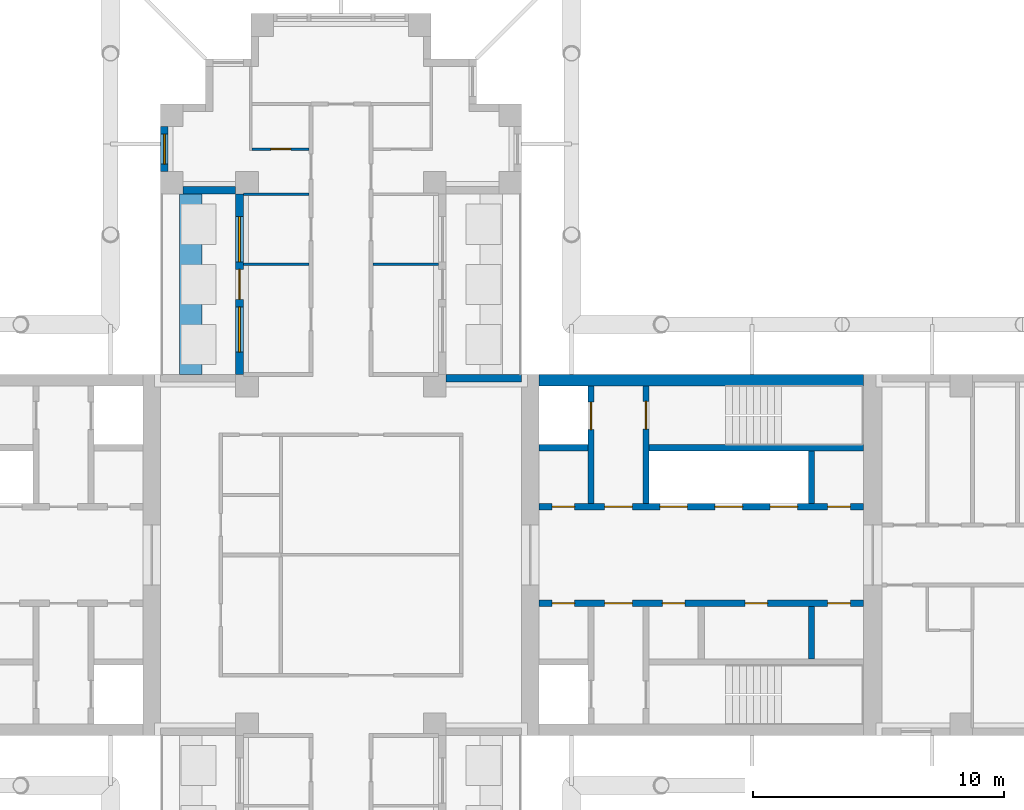
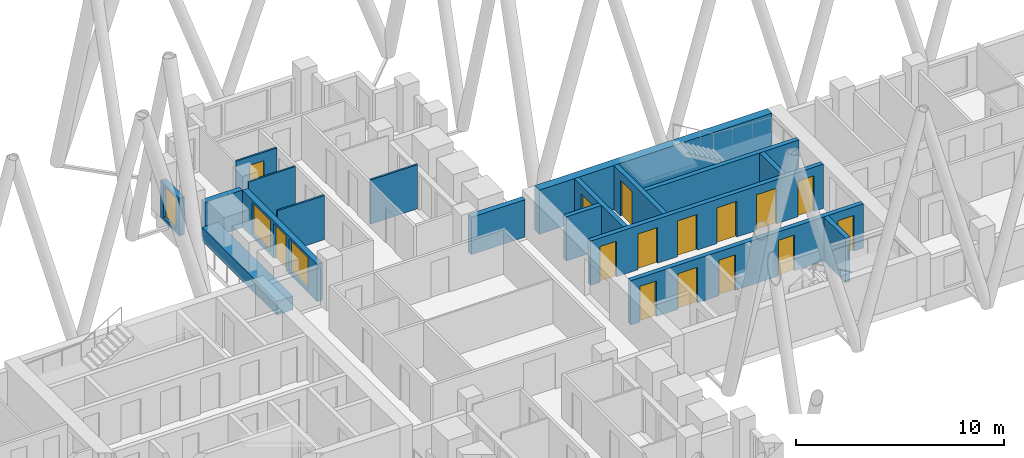
# One storey, part 7 of 13: 18 walls, 15 doors, 3 windows, 18 openings.
"""IFC4 building model written with IfcOpenShell, lengths in metres."""

from ifc_helpers import new_model, si_unit, direction, frame, frame_2d, origin, place, context, subcontext, project, spatial, rectangle, extrude, material, layer, layer_set, type_object, element, fill, save


model = new_model("IFC4")

# Units and contexts
model_context = context("Model", 3, precision=1e-05, world=origin(), true_north=direction((0.0, 1.0)))
body_context = subcontext(model_context, "Body", "Model", "MODEL_VIEW")
ifc_project = project(units=[si_unit("LENGTHUNIT", "METRE"), si_unit("AREAUNIT", "SQUARE_METRE"), si_unit("VOLUMEUNIT", "CUBIC_METRE"), si_unit("PLANEANGLEUNIT", "RADIAN"), si_unit("MASSUNIT", "GRAM", prefix="KILO")], contexts=[model_context])

# Site, building, storey
site_placement = place(None, origin())
site = spatial("IfcSite", under=ifc_project, at=site_placement, CompositionType="ELEMENT")
building_placement = place(site_placement, origin())
building = spatial("IfcBuilding", under=site, at=building_placement, Name="Fustian Cross Tower", CompositionType="ELEMENT")
storey_placement = place(building_placement, frame((0.0, 0.0, 153.300048828125)))
storey = spatial("IfcBuildingStorey", under=building, at=storey_placement, Name="L48", CompositionType="ELEMENT", Elevation=153.300048828125)

# Wall
ifc_material_1 = material(Name="Concrete C60/75", Category="concrete")
ifc_layer_1 = layer(ifc_material_1, 0.449951171875)
ifc_layer_set_1 = layer_set([ifc_layer_1], Name="Concrete C60/75")
wall_type_1 = type_object("IfcWallType", Name="CORE FACADE WALL 450 C60/75", PredefinedType="SHEAR", material=ifc_layer_set_1)
wall_1_placement = place(storey_placement, frame((7.89990234375, 6.97509765625, 0.0), z_axis=(0.0, 0.0, 1.0), x_axis=(1.0, 0.0, 0.0)))
element("IfcWall", 1, at=wall_1_placement, inside=storey, type_object=wall_type_1, Name="Core facade wall", PredefinedType="SHEAR", context=body_context, shape_type="SweptSolid", body=[
    extrude(rectangle(XDim=12.9501953125, YDim=0.449951171875, at=frame_2d((6.47509765625, 0.0))), origin(), (0.0, 0.0, 1.0), 2.599853515625),
])

# Wall, openings, doors
ifc_material_2 = material(Name="Concrete C50/60", Category="concrete")
ifc_layer_2 = layer(ifc_material_2, 0.25)
ifc_layer_set_2 = layer_set([ifc_layer_2], Name="Concrete C50/60")
wall_type_2 = type_object("IfcWallType", Name="CORE LOBBY WALL 250 C50/60", PredefinedType="SHEAR", material=ifc_layer_set_2)
wall_2_placement = place(storey_placement, frame((7.89990234375, 1.925048828125, 0.0), z_axis=(0.0, 0.0, 1.0), x_axis=(1.0, 0.0, 0.0)))
wall_2 = element("IfcWall", 2, at=wall_2_placement, inside=storey, type_object=wall_type_2, Name="Core lobby wall", PredefinedType="SHEAR", context=body_context, shape_type="SweptSolid", body=[
    extrude(rectangle(XDim=12.9501953125, YDim=0.25, at=frame_2d((6.47509765625, 0.0))), origin(), (0.0, 0.0, 1.0), 2.599853515625),
])
opening_1_placement = place(wall_2_placement, frame((4.824951171875, 0.0, 0.0)))
opening_1 = element("IfcOpeningElement", 3, at=opening_1_placement, cuts=wall_2, Name="Opening LD", PredefinedType="OPENING", context=body_context, shape_type="SweptSolid", body=[
    extrude(rectangle(XDim=1.10009765625, YDim=2.10009765625, at=frame_2d((0.550048828125, 1.050048828125))), frame((0.0, 0.135009765625, 0.0), z_axis=(0.0, -1.0, 0.0), x_axis=(1.0, 0.0, 0.0)), (0.0, 0.0, 1.0), 0.27001953125),
])
opening_2_placement = place(wall_2_placement, frame((7.02490234375, 0.0, 0.0)))
opening_2 = element("IfcOpeningElement", 4, at=opening_2_placement, cuts=wall_2, Name="Opening LD", PredefinedType="OPENING", context=body_context, shape_type="SweptSolid", body=[
    extrude(rectangle(XDim=1.10009765625, YDim=2.10009765625, at=frame_2d((0.550048828125, 1.050048828125))), frame((0.0, 0.135009765625, 0.0), z_axis=(0.0, -1.0, 0.0), x_axis=(1.0, 0.0, 0.0)), (0.0, 0.0, 1.0), 0.27001953125),
])
opening_3_placement = place(wall_2_placement, frame((9.22509765625, 0.0, 0.0)))
opening_3 = element("IfcOpeningElement", 5, at=opening_3_placement, cuts=wall_2, Name="Opening LD", PredefinedType="OPENING", context=body_context, shape_type="SweptSolid", body=[
    extrude(rectangle(XDim=1.10009765625, YDim=2.10009765625, at=frame_2d((0.550048828125, 1.050048828125))), frame((0.0, 0.135009765625, 0.0), z_axis=(0.0, -1.0, 0.0), x_axis=(1.0, 0.0, 0.0)), (0.0, 0.0, 1.0), 0.27001953125),
])
opening_4_placement = place(wall_2_placement, frame((0.52490234375, 0.0, 0.0)))
opening_4 = element("IfcOpeningElement", 6, at=opening_4_placement, cuts=wall_2, Name="Opening CD-16-08", PredefinedType="OPENING", context=body_context, shape_type="SweptSolid", body=[
    extrude(rectangle(XDim=0.89990234375, YDim=2.10009765625, at=frame_2d((0.449951171875, 1.050048828125))), frame((0.0, 0.135009765625, 0.0), z_axis=(0.0, -1.0, 0.0), x_axis=(1.0, 0.0, 0.0)), (0.0, 0.0, 1.0), 0.27001953125),
])
opening_5_placement = place(wall_2_placement, frame((2.625, 0.0, 0.0)))
opening_5 = element("IfcOpeningElement", 7, at=opening_5_placement, cuts=wall_2, Name="Opening CD-16-10", PredefinedType="OPENING", context=body_context, shape_type="SweptSolid", body=[
    extrude(rectangle(XDim=1.10009765625, YDim=2.10009765625, at=frame_2d((0.550048828125, 1.050048828125))), frame((0.0, 0.135009765625, 0.0), z_axis=(0.0, -1.0, 0.0), x_axis=(1.0, 0.0, 0.0)), (0.0, 0.0, 1.0), 0.27001953125),
])
opening_6_placement = place(wall_2_placement, frame((11.52490234375, 0.0, 0.0)))
opening_6 = element("IfcOpeningElement", 8, at=opening_6_placement, cuts=wall_2, Name="Opening CD-16-14", PredefinedType="OPENING", context=body_context, shape_type="SweptSolid", body=[
    extrude(rectangle(XDim=0.89990234375, YDim=2.10009765625, at=frame_2d((0.449951171875, 1.050048828125))), frame((0.0, 0.135009765625, 0.0), z_axis=(0.0, -1.0, 0.0), x_axis=(1.0, 0.0, 0.0)), (0.0, 0.0, 1.0), 0.27001953125),
])
ifc_material_3 = material(Name="Steel", Category="steel")
door_type_1 = type_object("IfcDoorType", Name="FIRE DOOR FD30S 900X2100", OperationType="SINGLE_SWING_LEFT", PredefinedType="DOOR", material=ifc_material_3)
door_1_placement = place(opening_6_placement, origin())
door_1 = element("IfcDoor", 9, at=door_1_placement, inside=storey, type_object=door_type_1, Name="Core door CD-16-14", OperationType="SINGLE_SWING_LEFT", OverallHeight=2.10009765625, OverallWidth=0.89990234375, PredefinedType="DOOR", context=body_context, shape_type="SweptSolid", body=[
    extrude(rectangle(XDim=0.89990234375, YDim=2.10009765625, at=frame_2d((0.449951171875, 1.050048828125))), frame((0.0, 0.02490234375, 0.0), z_axis=(0.0, -1.0, 0.0), x_axis=(1.0, 0.0, 0.0)), (0.0, 0.0, 1.0), 0.050048828125),
])
fill(opening_6, door_1)
ifc_material_4 = material(Name="Steel", Category="steel")
door_type_2 = type_object("IfcDoorType", Name="FIRE DOOR FD60S 1100X2100", OperationType="SINGLE_SWING_LEFT", PredefinedType="DOOR", material=ifc_material_4)
door_2_placement = place(opening_5_placement, frame((1.10009765625, 0.0, 0.0), z_axis=(0.0, 0.0, 1.0), x_axis=(-1.0, 0.0, 0.0)))
door_2 = element("IfcDoor", 10, at=door_2_placement, inside=storey, type_object=door_type_2, Name="Core door CD-16-10", OperationType="SINGLE_SWING_RIGHT", OverallHeight=2.10009765625, OverallWidth=1.10009765625, PredefinedType="DOOR", context=body_context, shape_type="SweptSolid", body=[
    extrude(rectangle(XDim=1.10009765625, YDim=2.10009765625, at=frame_2d((0.550048828125, 1.050048828125))), frame((0.0, 0.02490234375, 0.0), z_axis=(0.0, -1.0, 0.0), x_axis=(1.0, 0.0, 0.0)), (0.0, 0.0, 1.0), 0.050048828125),
])
fill(opening_5, door_2)
ifc_material_5 = material(Name="Steel", Category="steel")
door_type_3 = type_object("IfcDoorType", Name="FIRE DOOR FD60S 900X2100", OperationType="SINGLE_SWING_LEFT", PredefinedType="DOOR", material=ifc_material_5)
door_3_placement = place(opening_4_placement, origin())
door_3 = element("IfcDoor", 11, at=door_3_placement, inside=storey, type_object=door_type_3, Name="Core door CD-16-08", OperationType="SINGLE_SWING_LEFT", OverallHeight=2.10009765625, OverallWidth=0.89990234375, PredefinedType="DOOR", context=body_context, shape_type="SweptSolid", body=[
    extrude(rectangle(XDim=0.89990234375, YDim=2.10009765625, at=frame_2d((0.449951171875, 1.050048828125))), frame((0.0, 0.02490234375, 0.0), z_axis=(0.0, -1.0, 0.0), x_axis=(1.0, 0.0, 0.0)), (0.0, 0.0, 1.0), 0.050048828125),
])
fill(opening_4, door_3)
ifc_material_6 = material(Name="Stainless steel", Category="steel")
door_type_4 = type_object("IfcDoorType", Name="LIFT LANDING DOOR 1100X2100", OperationType="SLIDING_TO_LEFT", PredefinedType="DOOR", material=ifc_material_6)
door_4_placement = place(opening_1_placement, origin())
door_4 = element("IfcDoor", 12, at=door_4_placement, inside=storey, type_object=door_type_4, Name="Landing door HR1", OperationType="SLIDING_TO_LEFT", OverallHeight=2.10009765625, OverallWidth=1.10009765625, PredefinedType="DOOR", context=body_context, shape_type="SweptSolid", body=[
    extrude(rectangle(XDim=1.10009765625, YDim=2.10009765625, at=frame_2d((0.550048828125, 1.050048828125))), frame((0.0, 0.02490234375, 0.0), z_axis=(0.0, -1.0, 0.0), x_axis=(1.0, 0.0, 0.0)), (0.0, 0.0, 1.0), 0.050048828125),
])
fill(opening_1, door_4)
door_5_placement = place(opening_2_placement, origin())
door_5 = element("IfcDoor", 13, at=door_5_placement, inside=storey, type_object=door_type_4, Name="Landing door HR2", OperationType="SLIDING_TO_LEFT", OverallHeight=2.10009765625, OverallWidth=1.10009765625, PredefinedType="DOOR", context=body_context, shape_type="SweptSolid", body=[
    extrude(rectangle(XDim=1.10009765625, YDim=2.10009765625, at=frame_2d((0.550048828125, 1.050048828125))), frame((0.0, 0.02490234375, 0.0), z_axis=(0.0, -1.0, 0.0), x_axis=(1.0, 0.0, 0.0)), (0.0, 0.0, 1.0), 0.050048828125),
])
fill(opening_2, door_5)
door_6_placement = place(opening_3_placement, origin())
door_6 = element("IfcDoor", 14, at=door_6_placement, inside=storey, type_object=door_type_4, Name="Landing door HR3", OperationType="SLIDING_TO_LEFT", OverallHeight=2.10009765625, OverallWidth=1.10009765625, PredefinedType="DOOR", context=body_context, shape_type="SweptSolid", body=[
    extrude(rectangle(XDim=1.10009765625, YDim=2.10009765625, at=frame_2d((0.550048828125, 1.050048828125))), frame((0.0, 0.02490234375, 0.0), z_axis=(0.0, -1.0, 0.0), x_axis=(1.0, 0.0, 0.0)), (0.0, 0.0, 1.0), 0.050048828125),
])
fill(opening_3, door_6)

wall_3_placement = place(storey_placement, frame((7.89990234375, -1.925048828125, 0.0), z_axis=(0.0, 0.0, 1.0), x_axis=(1.0, 0.0, 0.0)))
wall_3 = element("IfcWall", 15, at=wall_3_placement, inside=storey, type_object=wall_type_2, Name="Core lobby wall", PredefinedType="SHEAR", context=body_context, shape_type="SweptSolid", body=[
    extrude(rectangle(XDim=12.9501953125, YDim=0.25, at=frame_2d((6.47509765625, 0.0))), origin(), (0.0, 0.0, 1.0), 2.599853515625),
])
opening_7_placement = place(wall_3_placement, frame((0.52490234375, 0.0, 0.0)))
opening_7 = element("IfcOpeningElement", 16, at=opening_7_placement, cuts=wall_3, Name="Opening CD-16-09", PredefinedType="OPENING", context=body_context, shape_type="SweptSolid", body=[
    extrude(rectangle(XDim=0.89990234375, YDim=2.10009765625, at=frame_2d((0.449951171875, 1.050048828125))), frame((0.0, 0.135009765625, 0.0), z_axis=(0.0, -1.0, 0.0), x_axis=(1.0, 0.0, 0.0)), (0.0, 0.0, 1.0), 0.27001953125),
])
opening_8_placement = place(wall_3_placement, frame((2.625, 0.0, 0.0)))
opening_8 = element("IfcOpeningElement", 17, at=opening_8_placement, cuts=wall_3, Name="Opening CD-16-11", PredefinedType="OPENING", context=body_context, shape_type="SweptSolid", body=[
    extrude(rectangle(XDim=1.10009765625, YDim=2.10009765625, at=frame_2d((0.550048828125, 1.050048828125))), frame((0.0, 0.135009765625, 0.0), z_axis=(0.0, -1.0, 0.0), x_axis=(1.0, 0.0, 0.0)), (0.0, 0.0, 1.0), 0.27001953125),
])
opening_9_placement = place(wall_3_placement, frame((4.925048828125, 0.0, 0.0)))
opening_9 = element("IfcOpeningElement", 18, at=opening_9_placement, cuts=wall_3, Name="Opening CD-16-15", PredefinedType="OPENING", context=body_context, shape_type="SweptSolid", body=[
    extrude(rectangle(XDim=0.89990234375, YDim=2.10009765625, at=frame_2d((0.449951171875, 1.050048828125))), frame((0.0, 0.135009765625, 0.0), z_axis=(0.0, -1.0, 0.0), x_axis=(1.0, 0.0, 0.0)), (0.0, 0.0, 1.0), 0.27001953125),
])
opening_10_placement = place(wall_3_placement, frame((8.22509765625, 0.0, 0.0)))
opening_10 = element("IfcOpeningElement", 19, at=opening_10_placement, cuts=wall_3, Name="Opening CD-16-16", PredefinedType="OPENING", context=body_context, shape_type="SweptSolid", body=[
    extrude(rectangle(XDim=0.89990234375, YDim=2.10009765625, at=frame_2d((0.449951171875, 1.050048828125))), frame((0.0, 0.135009765625, 0.0), z_axis=(0.0, -1.0, 0.0), x_axis=(1.0, 0.0, 0.0)), (0.0, 0.0, 1.0), 0.27001953125),
])
opening_11_placement = place(wall_3_placement, frame((11.52490234375, 0.0, 0.0)))
opening_11 = element("IfcOpeningElement", 20, at=opening_11_placement, cuts=wall_3, Name="Opening CD-16-17", PredefinedType="OPENING", context=body_context, shape_type="SweptSolid", body=[
    extrude(rectangle(XDim=0.89990234375, YDim=2.10009765625, at=frame_2d((0.449951171875, 1.050048828125))), frame((0.0, 0.135009765625, 0.0), z_axis=(0.0, -1.0, 0.0), x_axis=(1.0, 0.0, 0.0)), (0.0, 0.0, 1.0), 0.27001953125),
])
ifc_material_7 = material(Name="Steel", Category="steel")
door_type_5 = type_object("IfcDoorType", Name="FIRE DOOR FD30S 1100X2100", OperationType="SINGLE_SWING_LEFT", PredefinedType="DOOR", material=ifc_material_7)
door_7_placement = place(opening_8_placement, frame((1.10009765625, 0.0, 0.0), z_axis=(0.0, 0.0, 1.0), x_axis=(-1.0, 0.0, 0.0)))
door_7 = element("IfcDoor", 21, at=door_7_placement, inside=storey, type_object=door_type_5, Name="Core door CD-16-11", OperationType="SINGLE_SWING_RIGHT", OverallHeight=2.10009765625, OverallWidth=1.10009765625, PredefinedType="DOOR", context=body_context, shape_type="SweptSolid", body=[
    extrude(rectangle(XDim=1.10009765625, YDim=2.10009765625, at=frame_2d((0.550048828125, 1.050048828125))), frame((0.0, 0.02490234375, 0.0), z_axis=(0.0, -1.0, 0.0), x_axis=(1.0, 0.0, 0.0)), (0.0, 0.0, 1.0), 0.050048828125),
])
fill(opening_8, door_7)
door_8_placement = place(opening_7_placement, frame((0.89990234375, 0.0, 0.0), z_axis=(0.0, 0.0, 1.0), x_axis=(-1.0, 0.0, 0.0)))
door_8 = element("IfcDoor", 22, at=door_8_placement, inside=storey, type_object=door_type_1, Name="Core door CD-16-09", OperationType="SINGLE_SWING_RIGHT", OverallHeight=2.10009765625, OverallWidth=0.89990234375, PredefinedType="DOOR", context=body_context, shape_type="SweptSolid", body=[
    extrude(rectangle(XDim=0.89990234375, YDim=2.10009765625, at=frame_2d((0.449951171875, 1.050048828125))), frame((0.0, 0.02490234375, 0.0), z_axis=(0.0, -1.0, 0.0), x_axis=(1.0, 0.0, 0.0)), (0.0, 0.0, 1.0), 0.050048828125),
])
fill(opening_7, door_8)
door_9_placement = place(opening_9_placement, frame((0.89990234375, 0.0, 0.0), z_axis=(0.0, 0.0, 1.0), x_axis=(-1.0, 0.0, 0.0)))
door_9 = element("IfcDoor", 23, at=door_9_placement, inside=storey, type_object=door_type_1, Name="Core door CD-16-15", OperationType="SINGLE_SWING_RIGHT", OverallHeight=2.10009765625, OverallWidth=0.89990234375, PredefinedType="DOOR", context=body_context, shape_type="SweptSolid", body=[
    extrude(rectangle(XDim=0.89990234375, YDim=2.10009765625, at=frame_2d((0.449951171875, 1.050048828125))), frame((0.0, 0.02490234375, 0.0), z_axis=(0.0, -1.0, 0.0), x_axis=(1.0, 0.0, 0.0)), (0.0, 0.0, 1.0), 0.050048828125),
])
fill(opening_9, door_9)
door_10_placement = place(opening_10_placement, frame((0.89990234375, 0.0, 0.0), z_axis=(0.0, 0.0, 1.0), x_axis=(-1.0, 0.0, 0.0)))
door_10 = element("IfcDoor", 24, at=door_10_placement, inside=storey, type_object=door_type_1, Name="Core door CD-16-16", OperationType="SINGLE_SWING_LEFT", OverallHeight=2.10009765625, OverallWidth=0.89990234375, PredefinedType="DOOR", context=body_context, shape_type="SweptSolid", body=[
    extrude(rectangle(XDim=0.89990234375, YDim=2.10009765625, at=frame_2d((0.449951171875, 1.050048828125))), frame((0.0, 0.02490234375, 0.0), z_axis=(0.0, -1.0, 0.0), x_axis=(1.0, 0.0, 0.0)), (0.0, 0.0, 1.0), 0.050048828125),
])
fill(opening_10, door_10)
door_11_placement = place(opening_11_placement, frame((0.89990234375, 0.0, 0.0), z_axis=(0.0, 0.0, 1.0), x_axis=(-1.0, 0.0, 0.0)))
door_11 = element("IfcDoor", 25, at=door_11_placement, inside=storey, type_object=door_type_1, Name="Core door CD-16-17", OperationType="SINGLE_SWING_RIGHT", OverallHeight=2.10009765625, OverallWidth=0.89990234375, PredefinedType="DOOR", context=body_context, shape_type="SweptSolid", body=[
    extrude(rectangle(XDim=0.89990234375, YDim=2.10009765625, at=frame_2d((0.449951171875, 1.050048828125))), frame((0.0, 0.02490234375, 0.0), z_axis=(0.0, -1.0, 0.0), x_axis=(1.0, 0.0, 0.0)), (0.0, 0.0, 1.0), 0.050048828125),
])
fill(opening_11, door_11)

# Walls
ifc_material_8 = material(Name="Concrete C50/60", Category="concrete")
ifc_layer_3 = layer(ifc_material_8, 0.25)
ifc_layer_set_3 = layer_set([ifc_layer_3], Name="Concrete C50/60")
wall_type_3 = type_object("IfcWallType", Name="CORE SHAFT WALL 250 C50/60", PredefinedType="SHEAR", material=ifc_layer_set_3)
wall_4_placement = place(storey_placement, frame((7.89990234375, 4.27490234375, 0.0), z_axis=(0.0, 0.0, 1.0), x_axis=(1.0, 0.0, 0.0)))
element("IfcWall", 26, at=wall_4_placement, inside=storey, type_object=wall_type_3, Name="Core shaft wall", PredefinedType="SHEAR", context=body_context, shape_type="SweptSolid", body=[
    extrude(rectangle(XDim=1.9501953125, YDim=0.25, at=frame_2d((0.97509765625, 0.0))), origin(), (0.0, 0.0, 1.0), 2.599853515625),
])
wall_5_placement = place(storey_placement, frame((12.300048828125, 4.27490234375, 0.0), z_axis=(0.0, 0.0, 1.0), x_axis=(1.0, 0.0, 0.0)))
element("IfcWall", 27, at=wall_5_placement, inside=storey, type_object=wall_type_3, Name="Core shaft wall", PredefinedType="SHEAR", context=body_context, shape_type="SweptSolid", body=[
    extrude(rectangle(XDim=8.550048828125, YDim=0.25, at=frame_2d((4.27490234375, 0.0))), origin(), (0.0, 0.0, 1.0), 2.599853515625),
])

# Wall, opening, door
wall_6_placement = place(storey_placement, frame((9.97509765625, 2.050048828125, 0.0), z_axis=(0.0, 0.0, 1.0), x_axis=(0.0, 1.0, 0.0)))
wall_6 = element("IfcWall", 28, at=wall_6_placement, inside=storey, type_object=wall_type_3, Name="Core shaft wall", PredefinedType="SHEAR", context=body_context, shape_type="SweptSolid", body=[
    extrude(rectangle(XDim=4.699951171875, YDim=0.25, at=frame_2d((2.35009765625, 0.0))), origin(), (0.0, 0.0, 1.0), 2.599853515625),
])
opening_12_placement = place(wall_6_placement, frame((2.949951171875, 0.0, 0.0)))
opening_12 = element("IfcOpeningElement", 29, at=opening_12_placement, cuts=wall_6, Name="Opening LD", PredefinedType="OPENING", context=body_context, shape_type="SweptSolid", body=[
    extrude(rectangle(XDim=1.10009765625, YDim=2.10009765625, at=frame_2d((0.550048828125, 1.050048828125))), frame((0.0, 0.135009765625, 0.0), z_axis=(0.0, -1.0, 0.0), x_axis=(1.0, 0.0, 0.0)), (0.0, 0.0, 1.0), 0.27001953125),
])
door_12_placement = place(opening_12_placement, origin())
door_12 = element("IfcDoor", 30, at=door_12_placement, inside=storey, type_object=door_type_4, Name="Landing door FL1", OperationType="SLIDING_TO_LEFT", OverallHeight=2.10009765625, OverallWidth=1.10009765625, PredefinedType="DOOR", context=body_context, shape_type="SweptSolid", body=[
    extrude(rectangle(XDim=1.10009765625, YDim=2.10009765625, at=frame_2d((0.550048828125, 1.050048828125))), frame((0.0, 0.02490234375, 0.0), z_axis=(0.0, -1.0, 0.0), x_axis=(1.0, 0.0, 0.0)), (0.0, 0.0, 1.0), 0.050048828125),
])
fill(opening_12, door_12)

wall_7_placement = place(storey_placement, frame((12.175048828125, 2.050048828125, 0.0), z_axis=(0.0, 0.0, 1.0), x_axis=(0.0, 1.0, 0.0)))
wall_7 = element("IfcWall", 31, at=wall_7_placement, inside=storey, type_object=wall_type_3, Name="Core shaft wall", PredefinedType="SHEAR", context=body_context, shape_type="SweptSolid", body=[
    extrude(rectangle(XDim=4.699951171875, YDim=0.25, at=frame_2d((2.35009765625, 0.0))), origin(), (0.0, 0.0, 1.0), 2.599853515625),
])
opening_13_placement = place(wall_7_placement, frame((2.97509765625, 0.0, 0.0)))
opening_13 = element("IfcOpeningElement", 32, at=opening_13_placement, cuts=wall_7, Name="Opening CD-16-06", PredefinedType="OPENING", context=body_context, shape_type="SweptSolid", body=[
    extrude(rectangle(XDim=1.10009765625, YDim=2.10009765625, at=frame_2d((0.550048828125, 1.050048828125))), frame((0.0, 0.135009765625, 0.0), z_axis=(0.0, -1.0, 0.0), x_axis=(1.0, 0.0, 0.0)), (0.0, 0.0, 1.0), 0.27001953125),
])
door_13_placement = place(opening_13_placement, frame((1.10009765625, 0.0, 0.0), z_axis=(0.0, 0.0, 1.0), x_axis=(-1.0, 0.0, 0.0)))
door_13 = element("IfcDoor", 33, at=door_13_placement, inside=storey, type_object=door_type_2, Name="Core door CD-16-06", OperationType="SINGLE_SWING_RIGHT", OverallHeight=2.10009765625, OverallWidth=1.10009765625, PredefinedType="DOOR", context=body_context, shape_type="SweptSolid", body=[
    extrude(rectangle(XDim=1.10009765625, YDim=2.10009765625, at=frame_2d((0.550048828125, 1.050048828125))), frame((0.0, 0.02490234375, 0.0), z_axis=(0.0, -1.0, 0.0), x_axis=(1.0, 0.0, 0.0)), (0.0, 0.0, 1.0), 0.050048828125),
])
fill(opening_13, door_13)

# Walls
ifc_material_9 = material(Name="Plasterboard on steel stud", Category="steel")
ifc_layer_4 = layer(ifc_material_9, 0.10009765625)
ifc_layer_set_4 = layer_set([ifc_layer_4], Name="Plasterboard on steel stud")
wall_type_4 = type_object("IfcWallType", Name="PARTITION 100 STUD", PredefinedType="PARTITIONING", material=ifc_layer_set_4)
for number, where, z_axis, x_axis, name in (
    (34, (-3.89990234375, 11.60009765625, 0.0), (0.0, 0.0, 1.0), (1.0, 0.0, 0.0), "Partition 25"),
    (35, (-3.89990234375, 14.39990234375, 0.0), (0.0, 0.0, 1.0), (1.0, 0.0, 0.0), "Partition 26"),
):
    element("IfcWall", number, at=place(storey_placement, frame(where, z_axis=z_axis, x_axis=x_axis)), inside=storey, type_object=wall_type_4, Name=name, PredefinedType="PARTITIONING", context=body_context, shape_type="SweptSolid", body=[
        extrude(rectangle(XDim=2.625, YDim=0.10009765625, at=frame_2d((1.3125, 0.0))), origin(), (0.0, 0.0, 1.0), 2.599853515625),
    ])

# Wall, opening, door
wall_8_placement = place(storey_placement, frame((-3.550048828125, 16.199951171875, 0.0), z_axis=(0.0, 0.0, 1.0), x_axis=(1.0, 0.0, 0.0)))
wall_8 = element("IfcWall", 36, at=wall_8_placement, inside=storey, type_object=wall_type_4, Name="Partition 31", PredefinedType="PARTITIONING", context=body_context, shape_type="SweptSolid", body=[
    extrude(rectangle(XDim=2.275146484375, YDim=0.10009765625, at=frame_2d((1.1376953125, 0.0))), origin(), (0.0, 0.0, 1.0), 2.599853515625),
])
opening_14_placement = place(wall_8_placement, frame((0.75, 0.0, 0.0)))
opening_14 = element("IfcOpeningElement", 37, at=opening_14_placement, cuts=wall_8, Name="Opening D21020", PredefinedType="OPENING", context=body_context, shape_type="SweptSolid", body=[
    extrude(rectangle(XDim=0.800048828125, YDim=2.10009765625, at=frame_2d((0.39990234375, 1.050048828125))), frame((0.0, 0.06005859375, 0.0), z_axis=(0.0, -1.0, 0.0), x_axis=(1.0, 0.0, 0.0)), (0.0, 0.0, 1.0), 0.1201171875),
])
ifc_material_10 = material(Name="Painted timber", Category="wood")
door_type_6 = type_object("IfcDoorType", Name="SWING DOOR 800", OperationType="SINGLE_SWING_LEFT", PredefinedType="DOOR", material=ifc_material_10)
door_14_placement = place(opening_14_placement, origin())
door_14 = element("IfcDoor", 38, at=door_14_placement, inside=storey, type_object=door_type_6, Name="Door D21020", OperationType="SINGLE_SWING_LEFT", OverallHeight=2.10009765625, OverallWidth=0.800048828125, PredefinedType="DOOR", context=body_context, shape_type="SweptSolid", body=[
    extrude(rectangle(XDim=0.800048828125, YDim=2.10009765625, at=frame_2d((0.39990234375, 1.050048828125))), frame((0.0, 0.02490234375, 0.0), z_axis=(0.0, -1.0, 0.0), x_axis=(1.0, 0.0, 0.0)), (0.0, 0.0, 1.0), 0.050048828125),
])
fill(opening_14, door_14)

# Walls
wall_9_placement = place(storey_placement, frame((1.27490234375, 11.60009765625, 0.0), z_axis=(0.0, 0.0, 1.0), x_axis=(1.0, 0.0, 0.0)))
element("IfcWall", 39, at=wall_9_placement, inside=storey, type_object=wall_type_4, Name="Partition 48", PredefinedType="PARTITIONING", context=body_context, shape_type="SweptSolid", body=[
    extrude(rectangle(XDim=2.625, YDim=0.10009765625, at=frame_2d((1.3125, 0.0))), origin(), (0.0, 0.0, 1.0), 2.599853515625),
])
ifc_material_11 = material(Name="Concrete C40/50", Category="concrete")
ifc_layer_5 = layer(ifc_material_11, 0.89990234375)
ifc_layer_set_5 = layer_set([ifc_layer_5], Name="Concrete C40/50")
wall_type_5 = type_object("IfcWallType", Name="PK1 PLANTER 900", PredefinedType="PARAPET", material=ifc_layer_set_5)
wall_10_placement = place(storey_placement, frame((-6.0, 7.199951171875, 0.0), z_axis=(0.0, 0.0, 1.0), x_axis=(0.0, 1.0, 0.0)))
element("IfcWall", 40, at=wall_10_placement, inside=storey, type_object=wall_type_5, Name="PLANTER", PredefinedType="PARAPET", context=body_context, shape_type="SweptSolid", body=[
    extrude(rectangle(XDim=7.199951171875, YDim=0.89990234375, at=frame_2d((3.60009765625, 0.0))), origin(), (0.0, 0.0, 1.0), 0.800048828125),
])
ifc_material_12 = material(Name="Concrete C40/50", Category="concrete")
ifc_layer_6 = layer(ifc_material_12, 0.25)
ifc_layer_set_6 = layer_set([ifc_layer_6], Name="Concrete C40/50")
wall_type_6 = type_object("IfcWallType", Name="SHAFT PARTITION WALL 250 C40/50", PredefinedType="PARTITIONING", material=ifc_layer_set_6)
for number, where, z_axis, x_axis, name in (
    (41, (18.77490234375, 2.050048828125, 0.0), (0.0, 0.0, 1.0), (0.0, 1.0, 0.0), "Core shaft wall"),
    (42, (18.77490234375, -2.050048828125, 0.0), (0.0, 0.0, 1.0), (0.0, -1.0, 0.0), "Core shaft wall"),
):
    element("IfcWall", number, at=place(storey_placement, frame(where, z_axis=z_axis, x_axis=x_axis)), inside=storey, type_object=wall_type_6, Name=name, PredefinedType="PARTITIONING", context=body_context, shape_type="SweptSolid", body=[
        extrude(rectangle(XDim=2.099853515625, YDim=0.25, at=frame_2d((1.0498046875, 0.0))), origin(), (0.0, 0.0, 1.0), 2.599853515625),
    ])
ifc_material_13 = material(Name="Dark aluminium cladding on insulated backing wall", Category="aluminium")
ifc_layer_7 = layer(ifc_material_13, 0.300048828125)
ifc_layer_set_7 = layer_set([ifc_layer_7], Name="Dark aluminium cladding on insulated backing wall")
wall_type_7 = type_object("IfcWallType", Name="XW1 EXTERNAL WALL 300", PredefinedType="SOLIDWALL", material=ifc_layer_set_7)
wall_11_placement = place(storey_placement, frame((7.199951171875, 7.050048828125, 0.0), z_axis=(0.0, 0.0, 1.0), x_axis=(-1.0, 0.0, 0.0)))
element("IfcWall", 43, at=wall_11_placement, inside=storey, type_object=wall_type_7, Name="External wall", PredefinedType="SOLIDWALL", context=body_context, shape_type="SweptSolid", body=[
    extrude(rectangle(XDim=3.0, YDim=0.300048828125, at=frame_2d((1.5, 0.0))), origin(), (0.0, 0.0, 1.0), 2.199951171875),
])

# Wall, opening, window
wall_12_placement = place(storey_placement, frame((-7.050048828125, 17.10009765625, 0.0), z_axis=(0.0, 0.0, 1.0), x_axis=(0.0, -1.0, 0.0)))
wall_12 = element("IfcWall", 44, at=wall_12_placement, inside=storey, type_object=wall_type_7, Name="External wall", PredefinedType="SOLIDWALL", context=body_context, shape_type="SweptSolid", body=[
    extrude(rectangle(XDim=1.800048828125, YDim=0.300048828125, at=frame_2d((0.89990234375, 0.0))), origin(), (0.0, 0.0, 1.0), 2.199951171875),
])
opening_15_placement = place(wall_12_placement, frame((0.300048828125, 0.0, 0.199951171875)))
opening_15 = element("IfcOpeningElement", 45, at=opening_15_placement, cuts=wall_12, Name="Opening WN3", PredefinedType="OPENING", context=body_context, shape_type="SweptSolid", body=[
    extrude(rectangle(XDim=1.199951171875, YDim=1.85009765625, at=frame_2d((0.60009765625, 0.925048828125))), frame((0.0, 0.159912109375, 0.0), z_axis=(0.0, -1.0, 0.0), x_axis=(1.0, 0.0, 0.0)), (0.0, 0.0, 1.0), 0.320068359375),
])
ifc_material_14 = material(Name="Dark anodised aluminium and double glazing", Category="aluminium")
window_type_1 = type_object("IfcWindowType", Name="WN3 WINDOW 1200X1850", PartitioningType="SINGLE_PANEL", PredefinedType="WINDOW", material=ifc_material_14)
window_1_placement = place(opening_15_placement, origin())
window_1 = element("IfcWindow", 46, at=window_1_placement, inside=storey, type_object=window_type_1, Name="Window", OverallHeight=1.85009765625, OverallWidth=1.199951171875, PartitioningType="SINGLE_PANEL", PredefinedType="WINDOW", context=body_context, shape_type="SweptSolid", body=[
    extrude(rectangle(XDim=1.199951171875, YDim=1.85009765625, at=frame_2d((0.60009765625, 0.925048828125))), frame((0.0, 0.030029296875, 0.0), z_axis=(0.0, -1.0, 0.0), x_axis=(1.0, 0.0, 0.0)), (0.0, 0.0, 1.0), 0.06005859375),
])
fill(opening_15, window_1)

# Wall
wall_13_placement = place(storey_placement, frame((-6.300048828125, 14.550048828125, 0.0), z_axis=(0.0, 0.0, 1.0), x_axis=(1.0, 0.0, 0.0)))
element("IfcWall", 47, at=wall_13_placement, inside=storey, type_object=wall_type_7, Name="External wall", PredefinedType="SOLIDWALL", context=body_context, shape_type="SweptSolid", body=[
    extrude(rectangle(XDim=2.10009765625, YDim=0.300048828125, at=frame_2d((1.050048828125, 0.0))), origin(), (0.0, 0.0, 1.0), 2.199951171875),
])

# Wall, openings, door, windows
wall_14_placement = place(storey_placement, frame((-4.050048828125, 14.39990234375, 0.0), z_axis=(0.0, 0.0, 1.0), x_axis=(0.0, -1.0, 0.0)))
wall_14 = element("IfcWall", 48, at=wall_14_placement, inside=storey, type_object=wall_type_7, Name="External wall", PredefinedType="SOLIDWALL", context=body_context, shape_type="SweptSolid", body=[
    extrude(rectangle(XDim=7.199951171875, YDim=0.300048828125, at=frame_2d((3.60009765625, 0.0))), origin(), (0.0, 0.0, 1.0), 2.199951171875),
])
opening_16_placement = place(wall_14_placement, frame((3.0, 0.0, 0.0)))
opening_16 = element("IfcOpeningElement", 49, at=opening_16_placement, cuts=wall_14, Name="Opening XD2", PredefinedType="OPENING", context=body_context, shape_type="SweptSolid", body=[
    extrude(rectangle(XDim=1.199951171875, YDim=2.050048828125, at=frame_2d((0.60009765625, 1.02490234375))), frame((0.0, 0.159912109375, 0.0), z_axis=(0.0, -1.0, 0.0), x_axis=(1.0, 0.0, 0.0)), (0.0, 0.0, 1.0), 0.320068359375),
])
opening_17_placement = place(wall_14_placement, frame((0.89990234375, 0.0, 0.199951171875)))
opening_17 = element("IfcOpeningElement", 50, at=opening_17_placement, cuts=wall_14, Name="Opening WN2", PredefinedType="OPENING", context=body_context, shape_type="SweptSolid", body=[
    extrude(rectangle(XDim=1.800048828125, YDim=1.85009765625, at=frame_2d((0.89990234375, 0.925048828125))), frame((0.0, 0.159912109375, 0.0), z_axis=(0.0, -1.0, 0.0), x_axis=(1.0, 0.0, 0.0)), (0.0, 0.0, 1.0), 0.320068359375),
])
opening_18_placement = place(wall_14_placement, frame((4.5, 0.0, 0.199951171875)))
opening_18 = element("IfcOpeningElement", 51, at=opening_18_placement, cuts=wall_14, Name="Opening WN2", PredefinedType="OPENING", context=body_context, shape_type="SweptSolid", body=[
    extrude(rectangle(XDim=1.800048828125, YDim=1.85009765625, at=frame_2d((0.89990234375, 0.925048828125))), frame((0.0, 0.159912109375, 0.0), z_axis=(0.0, -1.0, 0.0), x_axis=(1.0, 0.0, 0.0)), (0.0, 0.0, 1.0), 0.320068359375),
])
ifc_material_15 = material(Name="Dark anodised aluminium and double glazing", Category="aluminium")
door_type_7 = type_object("IfcDoorType", Name="ED1 BALCONY DOOR 1200X2050", OperationType="SINGLE_SWING_LEFT", PredefinedType="DOOR", material=ifc_material_15)
door_15_placement = place(opening_16_placement, origin())
door_15 = element("IfcDoor", 52, at=door_15_placement, inside=storey, type_object=door_type_7, Name="Balcony door", OperationType="SINGLE_SWING_LEFT", OverallHeight=2.050048828125, OverallWidth=1.199951171875, PredefinedType="DOOR", context=body_context, shape_type="SweptSolid", body=[
    extrude(rectangle(XDim=1.199951171875, YDim=2.050048828125, at=frame_2d((0.60009765625, 1.02490234375))), frame((0.0, 0.02490234375, 0.0), z_axis=(0.0, -1.0, 0.0), x_axis=(1.0, 0.0, 0.0)), (0.0, 0.0, 1.0), 0.050048828125),
])
fill(opening_16, door_15)
ifc_material_16 = material(Name="Dark anodised aluminium and double glazing", Category="aluminium")
window_type_2 = type_object("IfcWindowType", Name="WN2 WINDOW 1800X1850", PartitioningType="SINGLE_PANEL", PredefinedType="WINDOW", material=ifc_material_16)
window_2_placement = place(opening_17_placement, origin())
window_2 = element("IfcWindow", 53, at=window_2_placement, inside=storey, type_object=window_type_2, Name="Window", OverallHeight=1.85009765625, OverallWidth=1.800048828125, PartitioningType="SINGLE_PANEL", PredefinedType="WINDOW", context=body_context, shape_type="SweptSolid", body=[
    extrude(rectangle(XDim=1.800048828125, YDim=1.85009765625, at=frame_2d((0.89990234375, 0.925048828125))), frame((0.0, 0.030029296875, 0.0), z_axis=(0.0, -1.0, 0.0), x_axis=(1.0, 0.0, 0.0)), (0.0, 0.0, 1.0), 0.06005859375),
])
fill(opening_17, window_2)
window_3_placement = place(opening_18_placement, origin())
window_3 = element("IfcWindow", 54, at=window_3_placement, inside=storey, type_object=window_type_2, Name="Window", OverallHeight=1.85009765625, OverallWidth=1.800048828125, PartitioningType="SINGLE_PANEL", PredefinedType="WINDOW", context=body_context, shape_type="SweptSolid", body=[
    extrude(rectangle(XDim=1.800048828125, YDim=1.85009765625, at=frame_2d((0.89990234375, 0.925048828125))), frame((0.0, 0.030029296875, 0.0), z_axis=(0.0, -1.0, 0.0), x_axis=(1.0, 0.0, 0.0)), (0.0, 0.0, 1.0), 0.06005859375),
])
fill(opening_18, window_3)

save(model, "model.ifc")
